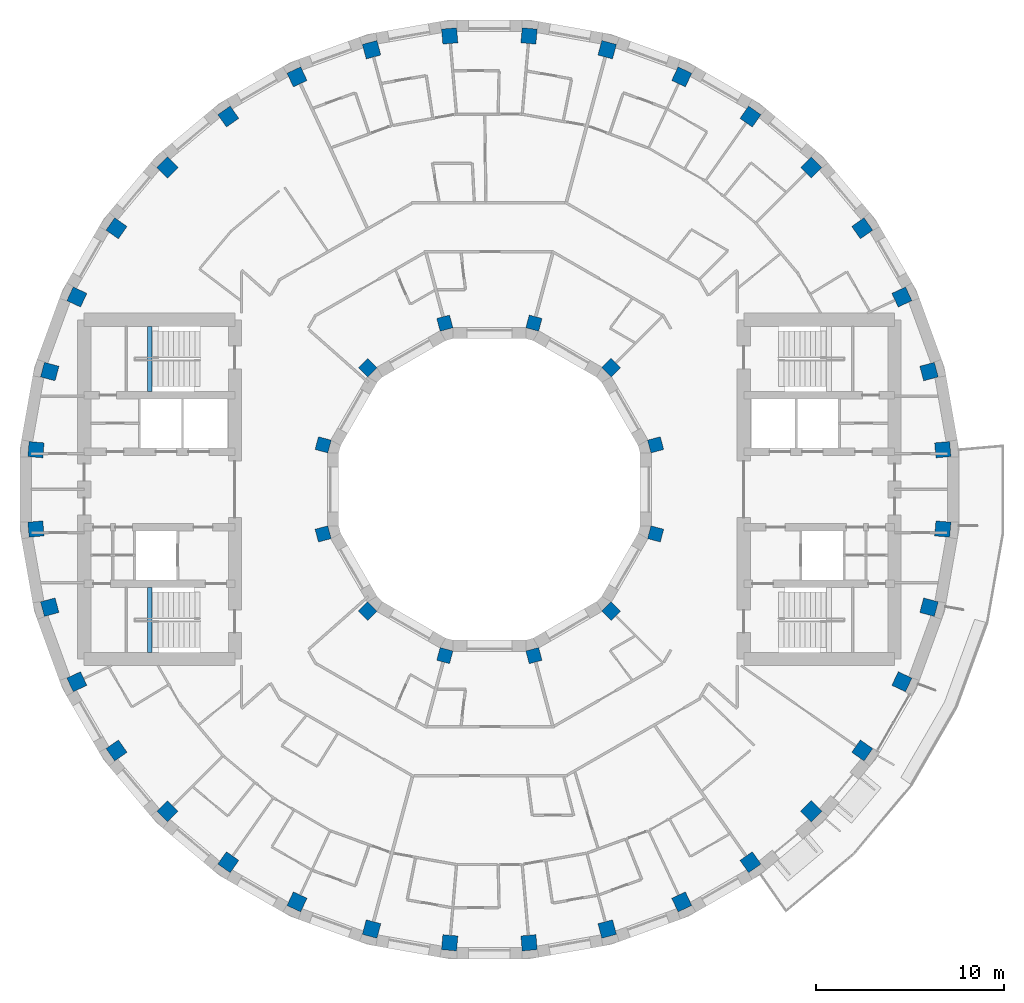
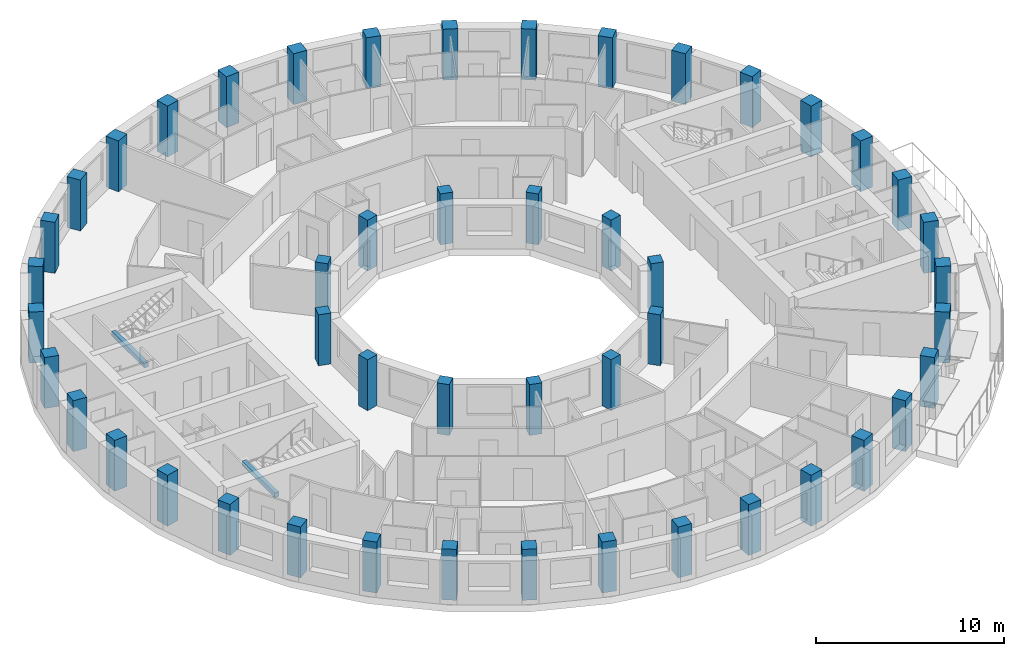
# One storey, part 1 of 14: 48 columns, 2 beams.
"""IFC4 building model written with IfcOpenShell, lengths in metres."""

from ifc_helpers import new_model, si_unit, direction, frame, origin, origin_2d, place, context, subcontext, project, spatial, rectangle, extrude, material, material_profile, profile_set, type_object, element, save


model = new_model("IFC4")

# Units and contexts
model_context = context("Model", 3, precision=1e-05, world=origin(), true_north=direction((0.0, 1.0)))
body_context = subcontext(model_context, "Body", "Model", "MODEL_VIEW")
ifc_project = project(units=[si_unit("LENGTHUNIT", "METRE"), si_unit("AREAUNIT", "SQUARE_METRE"), si_unit("VOLUMEUNIT", "CUBIC_METRE"), si_unit("PLANEANGLEUNIT", "RADIAN"), si_unit("MASSUNIT", "GRAM", prefix="KILO")], contexts=[model_context])

# Site, building, storey
site_placement = place(None, origin())
site = spatial("IfcSite", under=ifc_project, at=site_placement, CompositionType="ELEMENT")
building_placement = place(site_placement, origin())
building = spatial("IfcBuilding", under=site, at=building_placement, Name="Saqina Gate Tower", CompositionType="ELEMENT")
storey_placement = place(building_placement, frame((0.0, 0.0, 170.699951171875)))
storey = spatial("IfcBuildingStorey", under=building, at=storey_placement, Name="L48", CompositionType="ELEMENT", Elevation=170.699951171875)

# Columns
ifc_material_1 = material(Name="Concrete C60/75", Category="concrete")
ifc_material_profile_1 = material_profile(ifc_material_1, rectangle(XDim=0.699951171875, YDim=0.699951171875, at=origin_2d()), Name="RC 700x700")
ifc_profile_set_1 = profile_set([ifc_material_profile_1], Name="Concrete C60/75")
column_type_1 = type_object("IfcColumnType", Name="STR-COL-IN-C", PredefinedType="COLUMN", material=ifc_profile_set_1)
for number, where, z_axis, x_axis, name in (
    (1, (8.821044921875, 2.363525390625, 0.0), (0.0, 0.0, 1.0), (0.965925826289, 0.258819045103, 0.0), "L48-ICL01"),
    (2, (6.45751953125, 6.45751953125, 0.0), (0.0, 0.0, 1.0), (0.707106781187, 0.707106781187, 0.0), "L48-ICL02"),
    (3, (2.363525390625, 8.821044921875, 0.0), (0.0, 0.0, 1.0), (0.258819045103, 0.965925826289, 0.0), "L48-ICL03"),
    (4, (-2.363525390625, 8.821044921875, 0.0), (0.0, 0.0, 1.0), (-0.258819045103, 0.965925826289, 0.0), "L48-ICL04"),
    (5, (-6.45751953125, 6.45751953125, 0.0), (0.0, 0.0, 1.0), (-0.707106781187, 0.707106781187, 0.0), "L48-ICL05"),
    (6, (-8.821044921875, 2.363525390625, 0.0), (0.0, 0.0, 1.0), (-0.965925826289, 0.258819045103, 0.0), "L48-ICL06"),
    (7, (-8.821044921875, -2.363525390625, 0.0), (0.0, 0.0, 1.0), (-0.965925826289, -0.258819045103, 0.0), "L48-ICL07"),
    (8, (-6.45751953125, -6.45751953125, 0.0), (0.0, 0.0, 1.0), (-0.707106781187, -0.707106781187, 0.0), "L48-ICL08"),
    (9, (-2.363525390625, -8.821044921875, 0.0), (0.0, 0.0, 1.0), (-0.258819045103, -0.965925826289, 0.0), "L48-ICL09"),
    (10, (2.363525390625, -8.821044921875, 0.0), (0.0, 0.0, 1.0), (0.258819045103, -0.965925826289, 0.0), "L48-ICL10"),
    (11, (6.45751953125, -6.45751953125, 0.0), (0.0, 0.0, 1.0), (0.707106781187, -0.707106781187, 0.0), "L48-ICL11"),
    (12, (8.821044921875, -2.363525390625, 0.0), (0.0, 0.0, 1.0), (0.965925826289, -0.258819045103, 0.0), "L48-ICL12"),
):
    element("IfcColumn", number, at=place(storey_placement, frame(where, z_axis=z_axis, x_axis=x_axis)), inside=storey, type_object=column_type_1, Name=name, PredefinedType="COLUMN", context=body_context, shape_type="SweptSolid", body=[
        extrude(rectangle(XDim=0.699951171875, YDim=0.699951171875, at=origin_2d()), origin(), (0.0, 0.0, 1.0), 3.300048828125),
    ])
ifc_material_2 = material(Name="Concrete C60/75", Category="concrete")
ifc_material_profile_2 = material_profile(ifc_material_2, rectangle(XDim=0.800048828125, YDim=0.800048828125, at=origin_2d()), Name="RC 800x800")
ifc_profile_set_2 = profile_set([ifc_material_profile_2], Name="Concrete C60/75")
column_type_2 = type_object("IfcColumnType", Name="STR-COL-OUT-C", PredefinedType="COLUMN", material=ifc_profile_set_2)
for number, where, z_axis, x_axis, name in (
    (13, (24.05810546875, 2.104736328125, 0.0), (0.0, 0.0, 1.0), (0.996194698092, 0.087155742748, 0.0), "L48-COL01"),
    (14, (23.3271484375, 6.25048828125, 0.0), (0.0, 0.0, 1.0), (0.965925826289, 0.258819045103, 0.0), "L48-COL02"),
    (15, (21.887451171875, 10.206298828125, 0.0), (0.0, 0.0, 1.0), (0.906307787037, 0.422618261741, 0.0), "L48-COL03"),
    (16, (19.782470703125, 13.851806640625, 0.0), (0.0, 0.0, 1.0), (0.819152044289, 0.573576436351, 0.0), "L48-COL04"),
    (17, (17.07666015625, 17.07666015625, 0.0), (0.0, 0.0, 1.0), (0.707106781187, 0.707106781187, 0.0), "L48-COL05"),
    (18, (13.851806640625, 19.782470703125, 0.0), (0.0, 0.0, 1.0), (0.573576436351, 0.819152044289, 0.0), "L48-COL06"),
    (19, (10.206298828125, 21.887451171875, 0.0), (0.0, 0.0, 1.0), (0.422618261741, 0.906307787037, 0.0), "L48-COL07"),
    (20, (6.25048828125, 23.3271484375, 0.0), (0.0, 0.0, 1.0), (0.258819045103, 0.965925826289, 0.0), "L48-COL08"),
    (21, (2.104736328125, 24.05810546875, 0.0), (0.0, 0.0, 1.0), (0.087155742748, 0.996194698092, 0.0), "L48-COL09"),
    (22, (-2.104736328125, 24.05810546875, 0.0), (0.0, 0.0, 1.0), (-0.087155742748, 0.996194698092, 0.0), "L48-COL10"),
    (23, (-6.25048828125, 23.3271484375, 0.0), (0.0, 0.0, 1.0), (-0.258819045103, 0.965925826289, 0.0), "L48-COL11"),
    (24, (-10.206298828125, 21.887451171875, 0.0), (0.0, 0.0, 1.0), (-0.422618261741, 0.906307787037, 0.0), "L48-COL12"),
    (25, (-13.851806640625, 19.782470703125, 0.0), (0.0, 0.0, 1.0), (-0.573576436351, 0.819152044289, 0.0), "L48-COL13"),
    (26, (-17.07666015625, 17.07666015625, 0.0), (0.0, 0.0, 1.0), (-0.707106781187, 0.707106781187, 0.0), "L48-COL14"),
    (27, (-19.782470703125, 13.851806640625, 0.0), (0.0, 0.0, 1.0), (-0.819152044289, 0.573576436351, 0.0), "L48-COL15"),
    (28, (-21.887451171875, 10.206298828125, 0.0), (0.0, 0.0, 1.0), (-0.906307787037, 0.422618261741, 0.0), "L48-COL16"),
    (29, (-23.3271484375, 6.25048828125, 0.0), (0.0, 0.0, 1.0), (-0.965925826289, 0.258819045103, 0.0), "L48-COL17"),
    (30, (-24.05810546875, 2.104736328125, 0.0), (0.0, 0.0, 1.0), (-0.996194698092, 0.087155742748, 0.0), "L48-COL18"),
    (31, (-24.05810546875, -2.104736328125, 0.0), (0.0, 0.0, 1.0), (-0.996194698092, -0.087155742748, 0.0), "L48-COL19"),
    (32, (-23.3271484375, -6.25048828125, 0.0), (0.0, 0.0, 1.0), (-0.965925826289, -0.258819045103, 0.0), "L48-COL20"),
    (33, (-21.887451171875, -10.206298828125, 0.0), (0.0, 0.0, 1.0), (-0.906307787037, -0.422618261741, 0.0), "L48-COL21"),
    (34, (-19.782470703125, -13.851806640625, 0.0), (0.0, 0.0, 1.0), (-0.819152044289, -0.573576436351, 0.0), "L48-COL22"),
    (35, (-17.07666015625, -17.07666015625, 0.0), (0.0, 0.0, 1.0), (-0.707106781187, -0.707106781187, 0.0), "L48-COL23"),
    (36, (-13.851806640625, -19.782470703125, 0.0), (0.0, 0.0, 1.0), (-0.573576436351, -0.819152044289, 0.0), "L48-COL24"),
    (37, (-10.206298828125, -21.887451171875, 0.0), (0.0, 0.0, 1.0), (-0.422618261741, -0.906307787037, 0.0), "L48-COL25"),
    (38, (-6.25048828125, -23.3271484375, 0.0), (0.0, 0.0, 1.0), (-0.258819045103, -0.965925826289, 0.0), "L48-COL26"),
    (39, (-2.104736328125, -24.05810546875, 0.0), (0.0, 0.0, 1.0), (-0.087155742748, -0.996194698092, 0.0), "L48-COL27"),
    (40, (2.104736328125, -24.05810546875, 0.0), (0.0, 0.0, 1.0), (0.087155742748, -0.996194698092, 0.0), "L48-COL28"),
    (41, (6.25048828125, -23.3271484375, 0.0), (0.0, 0.0, 1.0), (0.258819045103, -0.965925826289, 0.0), "L48-COL29"),
    (42, (10.206298828125, -21.887451171875, 0.0), (0.0, 0.0, 1.0), (0.422618261741, -0.906307787037, 0.0), "L48-COL30"),
    (43, (13.851806640625, -19.782470703125, 0.0), (0.0, 0.0, 1.0), (0.573576436351, -0.819152044289, 0.0), "L48-COL31"),
    (44, (17.07666015625, -17.07666015625, 0.0), (0.0, 0.0, 1.0), (0.707106781187, -0.707106781187, 0.0), "L48-COL32"),
    (45, (19.782470703125, -13.851806640625, 0.0), (0.0, 0.0, 1.0), (0.819152044289, -0.573576436351, 0.0), "L48-COL33"),
    (46, (21.887451171875, -10.206298828125, 0.0), (0.0, 0.0, 1.0), (0.906307787037, -0.422618261741, 0.0), "L48-COL34"),
    (47, (23.3271484375, -6.25048828125, 0.0), (0.0, 0.0, 1.0), (0.965925826289, -0.258819045103, 0.0), "L48-COL35"),
    (48, (24.05810546875, -2.104736328125, 0.0), (0.0, 0.0, 1.0), (0.996194698092, -0.087155742748, 0.0), "L48-COL36"),
):
    element("IfcColumn", number, at=place(storey_placement, frame(where, z_axis=z_axis, x_axis=x_axis)), inside=storey, type_object=column_type_2, Name=name, PredefinedType="COLUMN", context=body_context, shape_type="SweptSolid", body=[
        extrude(rectangle(XDim=0.800048828125, YDim=0.800048828125, at=origin_2d()), origin(), (0.0, 0.0, 1.0), 3.300048828125),
    ])

# Beams
ifc_material_3 = material(Name="Concrete C40/50", Category="concrete")
ifc_material_profile_3 = material_profile(ifc_material_3, rectangle(XDim=0.25, YDim=0.300048828125, at=origin_2d()), Name="STAIR LANDING BEAM")
ifc_profile_set_3 = profile_set([ifc_material_profile_3], Name="Concrete C40/50")
beam_type = type_object("IfcBeamType", Name="STAIR LANDING BEAM", PredefinedType="BEAM", material=ifc_profile_set_3)
for number, where, z_axis, x_axis, name in (
    (49, (-18.02001953125, 5.199951171875, 1.25), (0.0, 1.0, 0.0), (-1.0, 0.0, 0.0), "EXIT STAIR 3 LANDING BEAM"),
    (50, (-18.02001953125, -8.64990234375, 1.25), (0.0, 1.0, 0.0), (-1.0, 0.0, 0.0), "EXIT STAIR 4 LANDING BEAM"),
):
    element("IfcBeam", number, at=place(storey_placement, frame(where, z_axis=z_axis, x_axis=x_axis)), inside=storey, type_object=beam_type, Name=name, PredefinedType="BEAM", context=body_context, shape_type="SweptSolid", body=[
        extrude(rectangle(XDim=0.25, YDim=0.300048828125, at=origin_2d()), origin(), (0.0, 0.0, 1.0), 3.449951171875),
    ])

save(model, "model.ifc")
